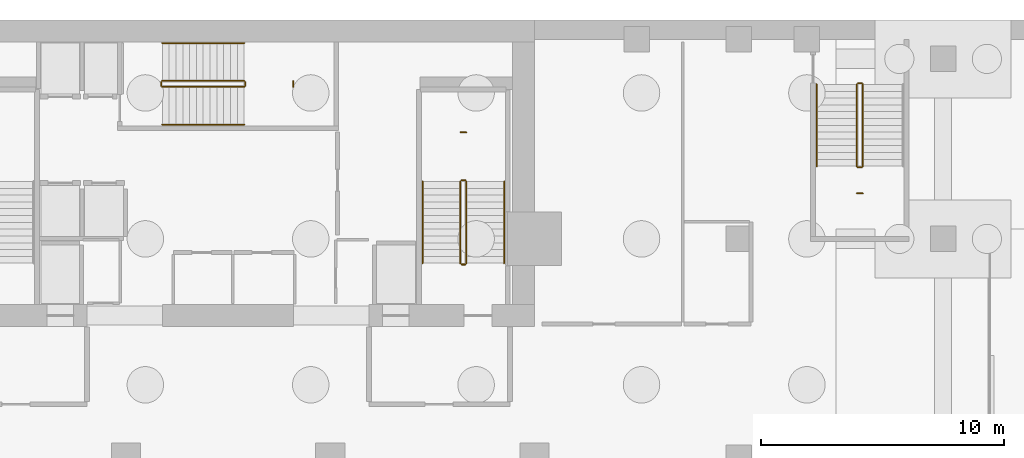
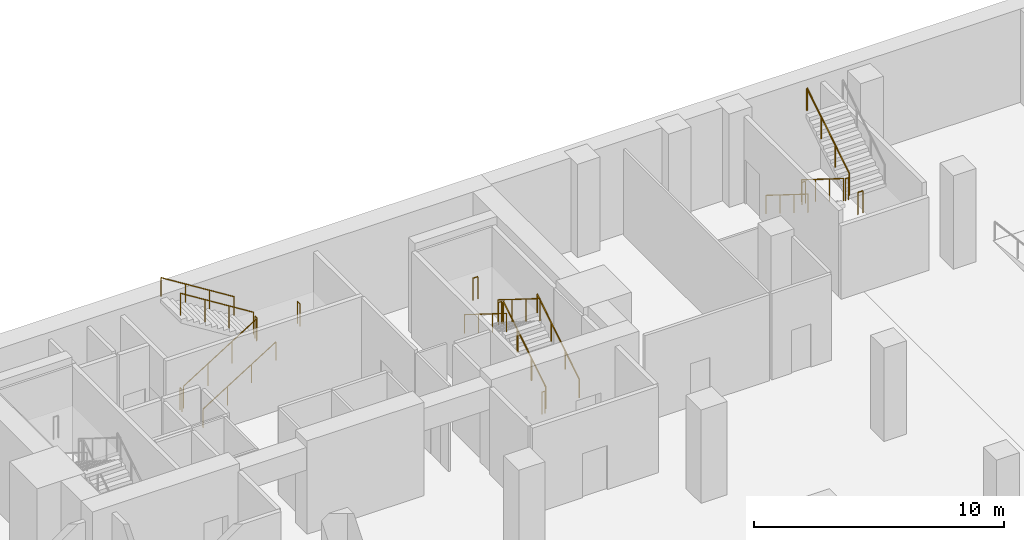
# One storey, part 7 of 9: 20 railings.
"""IFC4 building model written with IfcOpenShell, lengths in metres."""

from ifc_helpers import new_model, si_unit, direction, frame, origin, origin_2d, place, context, subcontext, project, spatial, circle, extrude, material, type_object, element, save


model = new_model("IFC4")

# Units and contexts
model_context = context("Model", 3, precision=1e-05, world=origin(), true_north=direction((0.0, 1.0)))
body_context = subcontext(model_context, "Body", "Model", "MODEL_VIEW")
ifc_project = project(units=[si_unit("LENGTHUNIT", "METRE"), si_unit("AREAUNIT", "SQUARE_METRE"), si_unit("VOLUMEUNIT", "CUBIC_METRE"), si_unit("PLANEANGLEUNIT", "RADIAN"), si_unit("MASSUNIT", "GRAM", prefix="KILO")], contexts=[model_context])

# Site, building, storey
site_placement = place(None, origin())
site = spatial("IfcSite", under=ifc_project, at=site_placement, CompositionType="ELEMENT")
building_placement = place(site_placement, origin())
building = spatial("IfcBuilding", under=site, at=building_placement, Name="Maruvema Waterfront Hotel and Observation Tower", CompositionType="ELEMENT")
storey_placement = place(building_placement, frame((0.0, 0.0, -9.800048828125)))
storey = spatial("IfcBuildingStorey", under=building, at=storey_placement, Name="B02", CompositionType="ELEMENT", Elevation=-9.800048828125)

# Railings
ifc_material_1 = material(Name="Brushed stainless steel Grade 316", Category="steel")
railing_type_1 = type_object("IfcRailingType", Name="Ramp Continuous Wall Handrail 920 mm", PredefinedType="HANDRAIL", material=ifc_material_1)
railing_1_placement = place(storey_placement, frame((35.10009765625, 49.699951171875, 0.175048828125)))
element("IfcRailing", 1, at=railing_1_placement, inside=storey, type_object=railing_type_1, Name="B02 ST-02 stair handrail 1", PredefinedType="HANDRAIL", context=body_context, shape_type="SweptSolid", body=[
    extrude(circle(Radius=0.02392578125, at=origin_2d()), frame((0.0, 0.0, 0.89599609375), z_axis=(0.847977533471, 0.0, 0.530032171408), x_axis=(0.0, 1.0, 0.0)), (0.0, 0.0, 1.0), 3.962158203125),
    extrude(circle(Radius=0.02099609375, at=origin_2d()), origin(), (0.0, 0.0, 1.0), 0.871826171875),
    extrude(circle(Radius=0.02099609375, at=origin_2d()), frame((1.119873046875, 0.0, 0.699951171875)), (0.0, 0.0, 1.0), 0.871826171875),
    extrude(circle(Radius=0.02099609375, at=origin_2d()), frame((2.239990234375, 0.0, 1.400146484375)), (0.0, 0.0, 1.0), 0.871826171875),
    extrude(circle(Radius=0.02099609375, at=origin_2d()), frame((3.35986328125, 0.0, 2.10009765625)), (0.0, 0.0, 1.0), 0.871826171875),
])
railing_2_placement = place(storey_placement, frame((38.4599609375, 53.050048828125, 2.449951171875)))
element("IfcRailing", 2, at=railing_2_placement, inside=storey, type_object=railing_type_1, Name="B02 ST-02 stair handrail 2", PredefinedType="HANDRAIL", context=body_context, shape_type="SweptSolid", body=[
    extrude(circle(Radius=0.02392578125, at=origin_2d()), frame((0.0, 0.0, 0.89599609375), z_axis=(-0.847977533471, 0.0, 0.530032171408), x_axis=(0.0, -1.0, 0.0)), (0.0, 0.0, 1.0), 3.962158203125),
    extrude(circle(Radius=0.02099609375, at=origin_2d()), origin(), (0.0, 0.0, 1.0), 0.871826171875),
    extrude(circle(Radius=0.02099609375, at=origin_2d()), frame((-1.119873046875, 0.0, 0.699951171875)), (0.0, 0.0, 1.0), 0.871826171875),
    extrude(circle(Radius=0.02099609375, at=origin_2d()), frame((-2.239990234375, 0.0, 1.400146484375)), (0.0, 0.0, 1.0), 0.871826171875),
    extrude(circle(Radius=0.02099609375, at=origin_2d()), frame((-3.35986328125, 0.0, 2.10009765625)), (0.0, 0.0, 1.0), 0.871826171875),
])
railing_3_placement = place(storey_placement, frame((49.14990234375, 44.0, 0.175048828125)))
element("IfcRailing", 3, at=railing_3_placement, inside=storey, type_object=railing_type_1, Name="B02 ST-03 stair handrail 1", PredefinedType="HANDRAIL", context=body_context, shape_type="SweptSolid", body=[
    extrude(circle(Radius=0.02392578125, at=origin_2d()), frame((0.0, 0.0, 0.89599609375), z_axis=(0.0, 0.847994842521, 0.530004478338), x_axis=(-1.0, 0.0, 0.0)), (0.0, 0.0, 1.0), 3.96240234375),
    extrude(circle(Radius=0.02099609375, at=origin_2d()), origin(), (0.0, 0.0, 1.0), 0.871826171875),
    extrude(circle(Radius=0.02099609375, at=origin_2d()), frame((0.0, 1.1201171875, 0.699951171875)), (0.0, 0.0, 1.0), 0.871826171875),
    extrude(circle(Radius=0.02099609375, at=origin_2d()), frame((0.0, 2.239990234375, 1.400146484375)), (0.0, 0.0, 1.0), 0.871826171875),
    extrude(circle(Radius=0.02099609375, at=origin_2d()), frame((0.0, 3.360107421875, 2.10009765625)), (0.0, 0.0, 1.0), 0.871826171875),
])
for number, where, name in (
    (4, (45.800048828125, 47.360107421875, 2.449951171875), "B02 ST-03 stair handrail 2"),
    (5, (62.0, 51.35009765625, 0.175048828125), "B02 ST-05 stair handrail 1"),
):
    element("IfcRailing", number, at=place(storey_placement, frame(where)), inside=storey, type_object=railing_type_1, Name=name, PredefinedType="HANDRAIL", context=body_context, shape_type="SweptSolid", body=[
        extrude(circle(Radius=0.02392578125, at=origin_2d()), frame((0.0, 0.0, 0.89599609375), z_axis=(0.0, -0.847994842521, 0.530004478338), x_axis=(1.0, 0.0, 0.0)), (0.0, 0.0, 1.0), 3.96240234375),
        extrude(circle(Radius=0.02099609375, at=origin_2d()), origin(), (0.0, 0.0, 1.0), 0.871826171875),
        extrude(circle(Radius=0.02099609375, at=origin_2d()), frame((0.0, -1.1201171875, 0.699951171875)), (0.0, 0.0, 1.0), 0.871826171875),
        extrude(circle(Radius=0.02099609375, at=origin_2d()), frame((0.0, -2.239990234375, 1.400146484375)), (0.0, 0.0, 1.0), 0.871826171875),
        extrude(circle(Radius=0.02099609375, at=origin_2d()), frame((0.0, -3.360107421875, 2.10009765625)), (0.0, 0.0, 1.0), 0.871826171875),
    ])
ifc_material_2 = material(Name="Brushed stainless steel Grade 316", Category="steel")
railing_type_2 = type_object("IfcRailingType", Name="Ramp and Terrace Guard Balustrade 1100 mm", PredefinedType="BALUSTRADE", material=ifc_material_2)
railing_4_placement = place(storey_placement, frame((35.10009765625, 51.25, 0.175048828125)))
element("IfcRailing", 6, at=railing_4_placement, inside=storey, type_object=railing_type_2, Name="B02 ST-02 stair guard 1", PredefinedType="BALUSTRADE", context=body_context, shape_type="SweptSolid", body=[
    extrude(circle(Radius=0.02392578125, at=origin_2d()), frame((0.0, 0.0, 1.076171875), z_axis=(0.847977533471, 0.0, 0.530032171408), x_axis=(0.0, 1.0, 0.0)), (0.0, 0.0, 1.0), 3.962158203125),
    extrude(circle(Radius=0.02099609375, at=origin_2d()), origin(), (0.0, 0.0, 1.0), 1.052001953125),
    extrude(circle(Radius=0.02099609375, at=origin_2d()), frame((1.119873046875, 0.0, 0.699951171875)), (0.0, 0.0, 1.0), 1.052001953125),
    extrude(circle(Radius=0.02099609375, at=origin_2d()), frame((2.239990234375, 0.0, 1.400146484375)), (0.0, 0.0, 1.0), 1.052001953125),
    extrude(circle(Radius=0.02099609375, at=origin_2d()), frame((3.35986328125, 0.0, 2.10009765625)), (0.0, 0.0, 1.0), 1.052001953125),
])
railing_5_placement = place(storey_placement, frame((38.510009765625, 51.300048828125, 2.275146484375)))
element("IfcRailing", 7, at=railing_5_placement, inside=storey, type_object=railing_type_2, Name="B02 ST-02 stair guard 2", PredefinedType="BALUSTRADE", context=body_context, shape_type="SweptSolid", body=[
    extrude(circle(Radius=0.02392578125, at=origin_2d()), frame((0.0, 0.0, 1.076171875), z_axis=(0.0, 1.0, 0.0), x_axis=(-1.0, 0.0, 0.0)), (0.0, 0.0, 1.0), 0.14990234375),
    extrude(circle(Radius=0.02099609375, at=origin_2d()), origin(), (0.0, 0.0, 1.0), 1.052001953125),
    extrude(circle(Radius=0.02099609375, at=origin_2d()), frame((0.0, 0.14990234375, 0.0)), (0.0, 0.0, 1.0), 1.052001953125),
])
railing_6_placement = place(storey_placement, frame((38.4599609375, 51.5, 2.449951171875)))
element("IfcRailing", 8, at=railing_6_placement, inside=storey, type_object=railing_type_2, Name="B02 ST-02 stair guard 3", PredefinedType="BALUSTRADE", context=body_context, shape_type="SweptSolid", body=[
    extrude(circle(Radius=0.02392578125, at=origin_2d()), frame((0.0, 0.0, 1.076171875), z_axis=(-0.847977533471, 0.0, 0.530032171408), x_axis=(0.0, -1.0, 0.0)), (0.0, 0.0, 1.0), 3.962158203125),
    extrude(circle(Radius=0.02099609375, at=origin_2d()), origin(), (0.0, 0.0, 1.0), 1.052001953125),
    extrude(circle(Radius=0.02099609375, at=origin_2d()), frame((-1.119873046875, 0.0, 0.699951171875)), (0.0, 0.0, 1.0), 1.052001953125),
    extrude(circle(Radius=0.02099609375, at=origin_2d()), frame((-2.239990234375, 0.0, 1.400146484375)), (0.0, 0.0, 1.0), 1.052001953125),
    extrude(circle(Radius=0.02099609375, at=origin_2d()), frame((-3.35986328125, 0.0, 2.10009765625)), (0.0, 0.0, 1.0), 1.052001953125),
])
railing_7_placement = place(storey_placement, frame((35.050048828125, 51.300048828125, 0.0)))
element("IfcRailing", 9, at=railing_7_placement, inside=storey, type_object=railing_type_2, Name="B02 ST-02 stair guard 4", PredefinedType="BALUSTRADE", context=body_context, shape_type="SweptSolid", body=[
    extrude(circle(Radius=0.02392578125, at=origin_2d()), frame((0.0, 0.0, 1.076171875), z_axis=(0.0, 1.0, 0.0), x_axis=(-1.0, 0.0, 0.0)), (0.0, 0.0, 1.0), 0.14990234375),
    extrude(circle(Radius=0.02099609375, at=origin_2d()), origin(), (0.0, 0.0, 1.0), 1.052001953125),
    extrude(circle(Radius=0.02099609375, at=origin_2d()), frame((0.0, 0.14990234375, 0.0)), (0.0, 0.0, 1.0), 1.052001953125),
])
railing_8_placement = place(storey_placement, frame((40.47998046875, 51.260009765625, 2.275146484375)))
element("IfcRailing", 10, at=railing_8_placement, inside=storey, type_object=railing_type_2, Name="B02 ST-02 Half-Landing Slot Guard", PredefinedType="BALUSTRADE", context=body_context, shape_type="SweptSolid", body=[
    extrude(circle(Radius=0.02392578125, at=origin_2d()), frame((0.0, 0.0, 1.076171875), z_axis=(0.0, 1.0, 0.0), x_axis=(-1.0, 0.0, 0.0)), (0.0, 0.0, 1.0), 0.22998046875),
    extrude(circle(Radius=0.02099609375, at=origin_2d()), origin(), (0.0, 0.0, 1.0), 1.052001953125),
    extrude(circle(Radius=0.02099609375, at=origin_2d()), frame((0.0, 0.22998046875, 0.0)), (0.0, 0.0, 1.0), 1.052001953125),
])
railing_9_placement = place(storey_placement, frame((47.60009765625, 44.0, 0.175048828125)))
element("IfcRailing", 11, at=railing_9_placement, inside=storey, type_object=railing_type_2, Name="B02 ST-03 stair guard 1", PredefinedType="BALUSTRADE", context=body_context, shape_type="SweptSolid", body=[
    extrude(circle(Radius=0.02392578125, at=origin_2d()), frame((0.0, 0.0, 1.076171875), z_axis=(0.0, 0.847994842521, 0.530004478338), x_axis=(-1.0, 0.0, 0.0)), (0.0, 0.0, 1.0), 3.96240234375),
    extrude(circle(Radius=0.02099609375, at=origin_2d()), origin(), (0.0, 0.0, 1.0), 1.052001953125),
    extrude(circle(Radius=0.02099609375, at=origin_2d()), frame((0.0, 1.1201171875, 0.699951171875)), (0.0, 0.0, 1.0), 1.052001953125),
    extrude(circle(Radius=0.02099609375, at=origin_2d()), frame((0.0, 2.239990234375, 1.400146484375)), (0.0, 0.0, 1.0), 1.052001953125),
    extrude(circle(Radius=0.02099609375, at=origin_2d()), frame((0.0, 3.360107421875, 2.10009765625)), (0.0, 0.0, 1.0), 1.052001953125),
])
railing_10_placement = place(storey_placement, frame((47.550048828125, 47.409912109375, 2.275146484375)))
element("IfcRailing", 12, at=railing_10_placement, inside=storey, type_object=railing_type_2, Name="B02 ST-03 stair guard 2", PredefinedType="BALUSTRADE", context=body_context, shape_type="SweptSolid", body=[
    extrude(circle(Radius=0.02392578125, at=origin_2d()), frame((0.0, 0.0, 1.076171875), z_axis=(-1.0, 0.0, 0.0), x_axis=(0.0, -1.0, 0.0)), (0.0, 0.0, 1.0), 0.150146484375),
    extrude(circle(Radius=0.02099609375, at=origin_2d()), origin(), (0.0, 0.0, 1.0), 1.052001953125),
    extrude(circle(Radius=0.02099609375, at=origin_2d()), frame((-0.150146484375, 0.0, 0.0)), (0.0, 0.0, 1.0), 1.052001953125),
])
railing_11_placement = place(storey_placement, frame((47.35009765625, 47.360107421875, 2.449951171875)))
element("IfcRailing", 13, at=railing_11_placement, inside=storey, type_object=railing_type_2, Name="B02 ST-03 stair guard 3", PredefinedType="BALUSTRADE", context=body_context, shape_type="SweptSolid", body=[
    extrude(circle(Radius=0.02392578125, at=origin_2d()), frame((0.0, 0.0, 1.076171875), z_axis=(0.0, -0.847994842521, 0.530004478338), x_axis=(1.0, 0.0, 0.0)), (0.0, 0.0, 1.0), 3.96240234375),
    extrude(circle(Radius=0.02099609375, at=origin_2d()), origin(), (0.0, 0.0, 1.0), 1.052001953125),
    extrude(circle(Radius=0.02099609375, at=origin_2d()), frame((0.0, -1.1201171875, 0.699951171875)), (0.0, 0.0, 1.0), 1.052001953125),
    extrude(circle(Radius=0.02099609375, at=origin_2d()), frame((0.0, -2.239990234375, 1.400146484375)), (0.0, 0.0, 1.0), 1.052001953125),
    extrude(circle(Radius=0.02099609375, at=origin_2d()), frame((0.0, -3.360107421875, 2.10009765625)), (0.0, 0.0, 1.0), 1.052001953125),
])
railing_12_placement = place(storey_placement, frame((47.550048828125, 43.949951171875, 0.0)))
element("IfcRailing", 14, at=railing_12_placement, inside=storey, type_object=railing_type_2, Name="B02 ST-03 stair guard 4", PredefinedType="BALUSTRADE", context=body_context, shape_type="SweptSolid", body=[
    extrude(circle(Radius=0.02392578125, at=origin_2d()), frame((0.0, 0.0, 1.076171875), z_axis=(-1.0, 0.0, 0.0), x_axis=(0.0, -1.0, 0.0)), (0.0, 0.0, 1.0), 0.150146484375),
    extrude(circle(Radius=0.02099609375, at=origin_2d()), origin(), (0.0, 0.0, 1.0), 1.052001953125),
    extrude(circle(Radius=0.02099609375, at=origin_2d()), frame((-0.150146484375, 0.0, 0.0)), (0.0, 0.0, 1.0), 1.052001953125),
])
railing_13_placement = place(storey_placement, frame((47.590087890625, 49.3798828125, 2.275146484375)))
element("IfcRailing", 15, at=railing_13_placement, inside=storey, type_object=railing_type_2, Name="B02 ST-03 Half-Landing Slot Guard", PredefinedType="BALUSTRADE", context=body_context, shape_type="SweptSolid", body=[
    extrude(circle(Radius=0.02392578125, at=origin_2d()), frame((0.0, 0.0, 1.076171875), z_axis=(-1.0, 0.0, 0.0), x_axis=(0.0, -1.0, 0.0)), (0.0, 0.0, 1.0), 0.22998046875),
    extrude(circle(Radius=0.02099609375, at=origin_2d()), origin(), (0.0, 0.0, 1.0), 1.052001953125),
    extrude(circle(Radius=0.02099609375, at=origin_2d()), frame((-0.22998046875, 0.0, 0.0)), (0.0, 0.0, 1.0), 1.052001953125),
])
railing_14_placement = place(storey_placement, frame((63.64990234375, 51.35009765625, 0.175048828125)))
element("IfcRailing", 16, at=railing_14_placement, inside=storey, type_object=railing_type_2, Name="B02 ST-05 stair guard 1", PredefinedType="BALUSTRADE", context=body_context, shape_type="SweptSolid", body=[
    extrude(circle(Radius=0.02392578125, at=origin_2d()), frame((0.0, 0.0, 1.076171875), z_axis=(0.0, -0.847994842521, 0.530004478338), x_axis=(1.0, 0.0, 0.0)), (0.0, 0.0, 1.0), 3.96240234375),
    extrude(circle(Radius=0.02099609375, at=origin_2d()), origin(), (0.0, 0.0, 1.0), 1.052001953125),
    extrude(circle(Radius=0.02099609375, at=origin_2d()), frame((0.0, -1.1201171875, 0.699951171875)), (0.0, 0.0, 1.0), 1.052001953125),
    extrude(circle(Radius=0.02099609375, at=origin_2d()), frame((0.0, -2.239990234375, 1.400146484375)), (0.0, 0.0, 1.0), 1.052001953125),
    extrude(circle(Radius=0.02099609375, at=origin_2d()), frame((0.0, -3.360107421875, 2.10009765625)), (0.0, 0.0, 1.0), 1.052001953125),
])
railing_15_placement = place(storey_placement, frame((63.699951171875, 47.93994140625, 2.275146484375)))
element("IfcRailing", 17, at=railing_15_placement, inside=storey, type_object=railing_type_2, Name="B02 ST-05 stair guard 2", PredefinedType="BALUSTRADE", context=body_context, shape_type="SweptSolid", body=[
    extrude(circle(Radius=0.02392578125, at=origin_2d()), frame((0.0, 0.0, 1.076171875), z_axis=(1.0, 0.0, 0.0), x_axis=(0.0, 1.0, 0.0)), (0.0, 0.0, 1.0), 0.150146484375),
    extrude(circle(Radius=0.02099609375, at=origin_2d()), origin(), (0.0, 0.0, 1.0), 1.052001953125),
    extrude(circle(Radius=0.02099609375, at=origin_2d()), frame((0.150146484375, 0.0, 0.0)), (0.0, 0.0, 1.0), 1.052001953125),
])
railing_16_placement = place(storey_placement, frame((63.89990234375, 47.989990234375, 2.449951171875)))
element("IfcRailing", 18, at=railing_16_placement, inside=storey, type_object=railing_type_2, Name="B02 ST-05 stair guard 3", PredefinedType="BALUSTRADE", context=body_context, shape_type="SweptSolid", body=[
    extrude(circle(Radius=0.02392578125, at=origin_2d()), frame((0.0, 0.0, 1.076171875), z_axis=(0.0, 0.847994842521, 0.530004478338), x_axis=(-1.0, 0.0, 0.0)), (0.0, 0.0, 1.0), 3.96240234375),
    extrude(circle(Radius=0.02099609375, at=origin_2d()), origin(), (0.0, 0.0, 1.0), 1.052001953125),
    extrude(circle(Radius=0.02099609375, at=origin_2d()), frame((0.0, 1.1201171875, 0.699951171875)), (0.0, 0.0, 1.0), 1.052001953125),
    extrude(circle(Radius=0.02099609375, at=origin_2d()), frame((0.0, 2.239990234375, 1.400146484375)), (0.0, 0.0, 1.0), 1.052001953125),
    extrude(circle(Radius=0.02099609375, at=origin_2d()), frame((0.0, 3.360107421875, 2.10009765625)), (0.0, 0.0, 1.0), 1.052001953125),
])
railing_17_placement = place(storey_placement, frame((63.699951171875, 51.39990234375, 0.0)))
element("IfcRailing", 19, at=railing_17_placement, inside=storey, type_object=railing_type_2, Name="B02 ST-05 stair guard 4", PredefinedType="BALUSTRADE", context=body_context, shape_type="SweptSolid", body=[
    extrude(circle(Radius=0.02392578125, at=origin_2d()), frame((0.0, 0.0, 1.076171875), z_axis=(1.0, 0.0, 0.0), x_axis=(0.0, 1.0, 0.0)), (0.0, 0.0, 1.0), 0.150146484375),
    extrude(circle(Radius=0.02099609375, at=origin_2d()), origin(), (0.0, 0.0, 1.0), 1.052001953125),
    extrude(circle(Radius=0.02099609375, at=origin_2d()), frame((0.150146484375, 0.0, 0.0)), (0.0, 0.0, 1.0), 1.052001953125),
])
railing_18_placement = place(storey_placement, frame((63.659912109375, 46.8701171875, 2.275146484375)))
element("IfcRailing", 20, at=railing_18_placement, inside=storey, type_object=railing_type_2, Name="B02 ST-05 Half-Landing Slot Guard", PredefinedType="BALUSTRADE", context=body_context, shape_type="SweptSolid", body=[
    extrude(circle(Radius=0.02392578125, at=origin_2d()), frame((0.0, 0.0, 1.076171875), z_axis=(1.0, 0.0, 0.0), x_axis=(0.0, 1.0, 0.0)), (0.0, 0.0, 1.0), 0.22998046875),
    extrude(circle(Radius=0.02099609375, at=origin_2d()), origin(), (0.0, 0.0, 1.0), 1.052001953125),
    extrude(circle(Radius=0.02099609375, at=origin_2d()), frame((0.22998046875, 0.0, 0.0)), (0.0, 0.0, 1.0), 1.052001953125),
])

save(model, "model.ifc")
